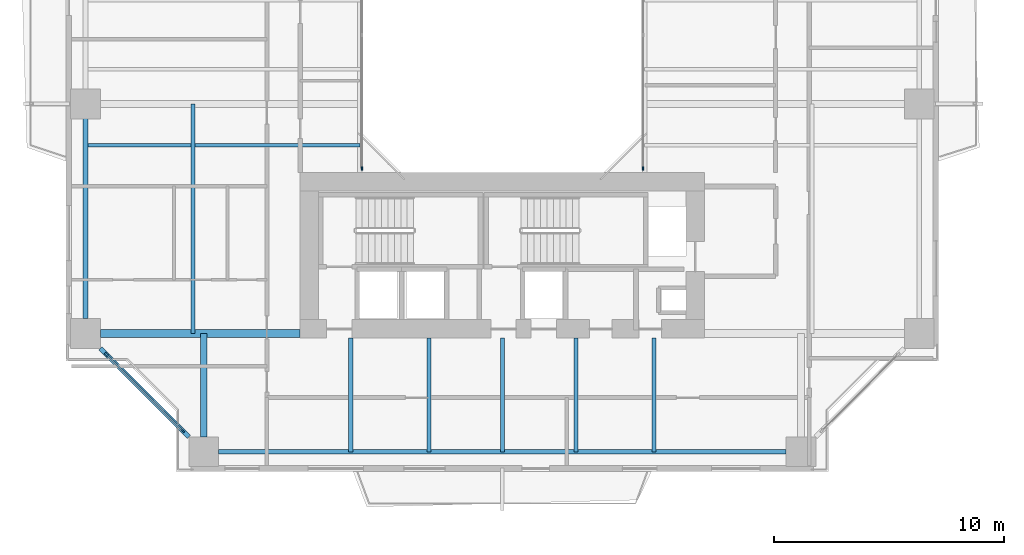
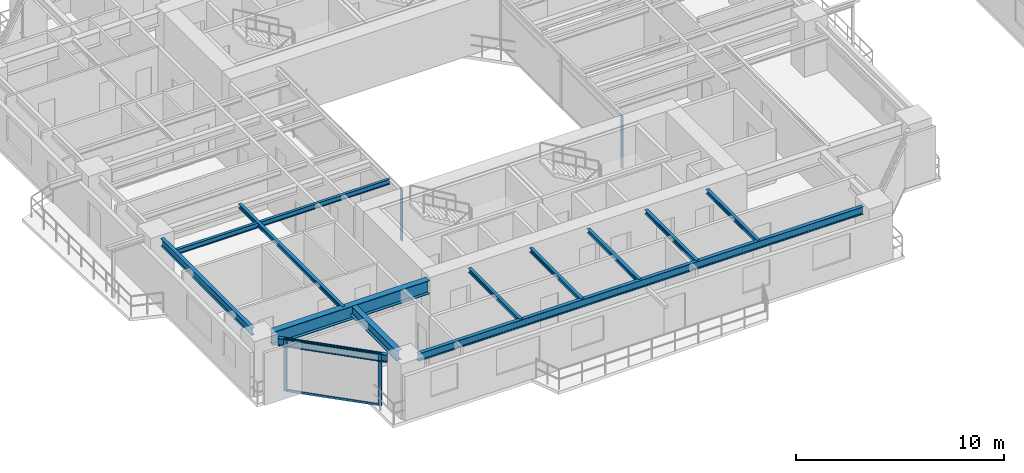
# One storey, part 2 of 23: 12 beams, 6 members, 3 elements without a shape of their own.
"""IFC4 building model written with IfcOpenShell, lengths in metres."""

from ifc_helpers import new_model, si_unit, direction, frame, origin, origin_2d, place, context, subcontext, project, spatial, rectangle, i_section, extrude, source, transform, mapped, material, layer, layer_set, material_profile, profile_set, type_object, element, aggregate, save


model = new_model("IFC4")

# Units and contexts
model_context = context("Model", 3, precision=1e-05, world=origin(), true_north=direction((0.0, 1.0)))
body_context = subcontext(model_context, "Body", "Model", "MODEL_VIEW")
ifc_project = project(units=[si_unit("LENGTHUNIT", "METRE"), si_unit("AREAUNIT", "SQUARE_METRE"), si_unit("VOLUMEUNIT", "CUBIC_METRE"), si_unit("PLANEANGLEUNIT", "RADIAN"), si_unit("MASSUNIT", "GRAM", prefix="KILO"), si_unit("THERMODYNAMICTEMPERATUREUNIT", "KELVIN"), si_unit("POWERUNIT", "WATT")], contexts=[model_context])

# Site, building, storey
site_placement = place(None, origin())
site = spatial("IfcSite", under=ifc_project, at=site_placement, CompositionType="ELEMENT")
building_placement = place(site_placement, origin())
building = spatial("IfcBuilding", under=site, at=building_placement, Name="Qiaomeng Ring Towers", CompositionType="ELEMENT")
storey_placement = place(building_placement, frame((0.0, 0.0, 60.0)))
storey = spatial("IfcBuildingStorey", under=building, at=storey_placement, Name="L16", CompositionType="ELEMENT", Elevation=60.0)

# Beams
ifc_material_1 = material(Name="Steel Q355B", Category="steel")
ifc_material_profile_1 = material_profile(ifc_material_1, i_section(OverallWidth=0.199951171875, OverallDepth=0.449951171875, WebThickness=0.009033203125, FlangeThickness=0.013916015625, FilletRadius=0.01806640625, at=origin_2d()), Name="HN 450x200x9x14")
ifc_profile_set_1 = profile_set([ifc_material_profile_1], Name="Steel Q355B")
beam_type_1 = type_object("IfcBeamType", Name="STR-BM-HN450", PredefinedType="SPANDREL", material=ifc_profile_set_1)
shared_shape_1 = source(origin(), body_context, "Body", "SweptSolid", [
    extrude(i_section(OverallWidth=0.199951171875, OverallDepth=0.449951171875, WebThickness=0.009033203125, FlangeThickness=0.013916015625, FilletRadius=0.01806640625, at=origin_2d()), origin(), (0.0, 0.0, 1.0), 24.7021484375),
])
beam_1_placement = place(storey_placement, frame((6.64892578125, 4.85009765625, 2.844970703125), z_axis=(1.0, 0.0, 0.0), x_axis=(0.0, 1.0, 0.0)))
element("IfcBeam", 1, at=beam_1_placement, inside=storey, type_object=beam_type_1, Name="L16 beam STR-SP-L16-T1-S1-S2", PredefinedType="SPANDREL", context=body_context, shape_type="MappedRepresentation", body=[
    mapped(shared_shape_1, transform((0.0, 0.0, 0.0), x_axis=(1.0, 0.0, 0.0), y_axis=(0.0, 1.0, 0.0), z_axis=(0.0, 0.0, 1.0), scale=1.0)),
])
shared_shape_2 = source(origin(), body_context, "Body", "SweptSolid", [
    extrude(i_section(OverallWidth=0.199951171875, OverallDepth=0.449951171875, WebThickness=0.009033203125, FlangeThickness=0.013916015625, FilletRadius=0.01806640625, at=origin_2d()), origin(), (0.0, 0.0, 1.0), 5.446533203125),
])
beam_2_placement = place(storey_placement, frame((1.499267578125, 9.3505859375, 2.844970703125), z_axis=(0.707106781187, -0.707106781187, 0.0), x_axis=(0.707106781187, 0.707106781187, 0.0)))
element("IfcBeam", 2, at=beam_2_placement, inside=storey, type_object=beam_type_1, Name="L16 beam STR-SP-L16-T1-W1-S1", PredefinedType="SPANDREL", context=body_context, shape_type="MappedRepresentation", body=[
    mapped(shared_shape_2, transform((0.0, 0.0, 0.0), x_axis=(1.0, 0.0, 0.0), y_axis=(0.0, 1.0, 0.0), z_axis=(0.0, 0.0, 1.0), scale=1.0)),
])
shared_shape_3 = source(origin(), body_context, "Body", "SweptSolid", [
    extrude(i_section(OverallWidth=0.199951171875, OverallDepth=0.449951171875, WebThickness=0.009033203125, FlangeThickness=0.013916015625, FilletRadius=0.01806640625, at=origin_2d()), origin(), (0.0, 0.0, 1.0), 8.7021484375),
])
beam_3_placement = place(storey_placement, frame((0.85009765625, 19.35107421875, 2.844970703125), z_axis=(0.0, -1.0, 0.0), x_axis=(1.0, 0.0, 0.0)))
element("IfcBeam", 3, at=beam_3_placement, inside=storey, type_object=beam_type_1, Name="L16 beam STR-SP-L16-T1-W2-W1", PredefinedType="SPANDREL", context=body_context, shape_type="MappedRepresentation", body=[
    mapped(shared_shape_3, transform((0.0, 0.0, 0.0), x_axis=(1.0, 0.0, 0.0), y_axis=(0.0, 1.0, 0.0), z_axis=(0.0, 0.0, 1.0), scale=1.0)),
])
ifc_material_2 = material(Name="Steel Q390GJC", Category="steel")
ifc_material_profile_2 = material_profile(ifc_material_2, i_section(OverallWidth=0.35009765625, OverallDepth=0.800048828125, WebThickness=0.01611328125, FlangeThickness=0.028076171875, at=origin_2d()), Name="WH 800x350x16x28")
ifc_profile_set_2 = profile_set([ifc_material_profile_2], Name="Steel Q390GJC")
beam_type_2 = type_object("IfcBeamType", Name="STR-BM-WH800", PredefinedType="BEAM", material=ifc_profile_set_2)
shared_shape_4 = source(origin(), body_context, "Body", "SweptSolid", [
    extrude(i_section(OverallWidth=0.35009765625, OverallDepth=0.800048828125, WebThickness=0.01611328125, FlangeThickness=0.028076171875, at=origin_2d()), origin(), (0.0, 0.0, 1.0), 8.700927734375),
])
beam_4_placement = place(storey_placement, frame((1.4990234375, 10.0, 2.669921875), z_axis=(1.0, 0.0, 0.0), x_axis=(0.0, 1.0, 0.0)))
element("IfcBeam", 4, at=beam_4_placement, inside=storey, type_object=beam_type_2, Name="L16 beam STR-BM-L16-T1-RAD-W1", PredefinedType="BEAM", context=body_context, shape_type="MappedRepresentation", body=[
    mapped(shared_shape_4, transform((0.0, 0.0, 0.0), x_axis=(1.0, 0.0, 0.0), y_axis=(0.0, 1.0, 0.0), z_axis=(0.0, 0.0, 1.0), scale=1.0)),
])
ifc_material_profile_3 = material_profile(ifc_material_1, i_section(OverallWidth=0.300048828125, OverallDepth=0.587890625, WebThickness=0.011962890625, FlangeThickness=0.02001953125, FilletRadius=0.028076171875, at=origin_2d()), Name="HM 588x300x12x20")
ifc_profile_set_3 = profile_set([ifc_material_profile_3], Name="Steel Q355B")
beam_type_3 = type_object("IfcBeamType", Name="STR-BM-HM588", PredefinedType="BEAM", material=ifc_profile_set_3)
shared_shape_5 = source(origin(), body_context, "Body", "SweptSolid", [
    extrude(i_section(OverallWidth=0.300048828125, OverallDepth=0.587890625, WebThickness=0.011962890625, FlangeThickness=0.02001953125, FilletRadius=0.028076171875, at=origin_2d()), origin(), (0.0, 0.0, 1.0), 4.5009765625),
])
beam_5_placement = place(storey_placement, frame((6.0, 5.4990234375, 2.77587890625), z_axis=(0.0, 1.0, 0.0), x_axis=(-1.0, 0.0, 0.0)))
element("IfcBeam", 5, at=beam_5_placement, inside=storey, type_object=beam_type_3, Name="L16 beam STR-BM-L16-T1-RAD-S1", PredefinedType="BEAM", context=body_context, shape_type="MappedRepresentation", body=[
    mapped(shared_shape_5, transform((0.0, 0.0, 0.0), x_axis=(1.0, 0.0, 0.0), y_axis=(0.0, 1.0, 0.0), z_axis=(0.0, 0.0, 1.0), scale=1.0)),
])
ifc_material_profile_4 = material_profile(ifc_material_1, i_section(OverallWidth=0.175048828125, OverallDepth=0.243896484375, WebThickness=0.007080078125, FlangeThickness=0.010986328125, FilletRadius=0.01611328125, at=origin_2d()), Name="HM 244x175x7x11")
ifc_profile_set_4 = profile_set([ifc_material_profile_4], Name="Steel Q355B")
beam_type_4 = type_object("IfcBeamType", Name="STR-BM-HM244", PredefinedType="JOIST", material=ifc_profile_set_4)
shared_shape_6 = source(origin(), body_context, "Body", "SweptSolid", [
    extrude(i_section(OverallWidth=0.175048828125, OverallDepth=0.243896484375, WebThickness=0.007080078125, FlangeThickness=0.010986328125, FilletRadius=0.01611328125, at=origin_2d()), origin(), (0.0, 0.0, 1.0), 4.949951171875),
])
for number, where, z_axis, x_axis, name in (
    (6, (12.39990234375, 4.85009765625, 2.947998046875), (0.0, 1.0, 0.0), (-1.0, 0.0, 0.0), "L16 beam STR-JST-L16-T1S-1"),
    (7, (15.800048828125, 4.85009765625, 2.947998046875), (0.0, 1.0, 0.0), (-1.0, 0.0, 0.0), "L16 beam STR-JST-L16-T1S-2"),
    (8, (19.0, 4.85009765625, 2.947998046875), (0.0, 1.0, 0.0), (-1.0, 0.0, 0.0), "L16 beam STR-JST-L16-T1S-3"),
    (9, (22.199951171875, 4.85009765625, 2.947998046875), (0.0, 1.0, 0.0), (-1.0, 0.0, 0.0), "L16 beam STR-JST-L16-T1S-4"),
    (10, (25.60009765625, 4.85009765625, 2.947998046875), (0.0, 1.0, 0.0), (-1.0, 0.0, 0.0), "L16 beam STR-JST-L16-T1S-5"),
):
    element("IfcBeam", number, at=place(storey_placement, frame(where, z_axis=z_axis, x_axis=x_axis)), inside=storey, type_object=beam_type_4, Name=name, PredefinedType="JOIST", context=body_context, shape_type="MappedRepresentation", body=[
        mapped(shared_shape_6, transform((0.0, 0.0, 0.0), x_axis=(1.0, 0.0, 0.0), y_axis=(0.0, 1.0, 0.0), z_axis=(0.0, 0.0, 1.0), scale=1.0)),
    ])
ifc_material_profile_5 = material_profile(ifc_material_1, i_section(OverallWidth=0.14990234375, OverallDepth=0.300048828125, WebThickness=0.006591796875, FlangeThickness=0.009033203125, FilletRadius=0.012939453125, at=origin_2d()), Name="HN 300x150x6.5x9")
ifc_profile_set_5 = profile_set([ifc_material_profile_5], Name="Steel Q355B")
beam_type_5 = type_object("IfcBeamType", Name="STR-BM-HN300", PredefinedType="JOIST", material=ifc_profile_set_5)
shared_shape_7 = source(origin(), body_context, "Body", "SweptSolid", [
    extrude(i_section(OverallWidth=0.14990234375, OverallDepth=0.300048828125, WebThickness=0.006591796875, FlangeThickness=0.009033203125, FilletRadius=0.012939453125, at=origin_2d()), origin(), (0.0, 0.0, 1.0), 11.949951171875),
])
beam_6_placement = place(storey_placement, frame((0.85009765625, 18.199951171875, 2.919921875), z_axis=(1.0, 0.0, 0.0), x_axis=(0.0, 1.0, 0.0)))
element("IfcBeam", 11, at=beam_6_placement, inside=storey, type_object=beam_type_5, Name="L16 beam STR-JST-L16-T1W-1", PredefinedType="JOIST", context=body_context, shape_type="MappedRepresentation", body=[
    mapped(shared_shape_7, transform((0.0, 0.0, 0.0), x_axis=(1.0, 0.0, 0.0), y_axis=(0.0, 1.0, 0.0), z_axis=(0.0, 0.0, 1.0), scale=1.0)),
])
shared_shape_8 = source(origin(), body_context, "Body", "SweptSolid", [
    extrude(i_section(OverallWidth=0.175048828125, OverallDepth=0.243896484375, WebThickness=0.007080078125, FlangeThickness=0.010986328125, FilletRadius=0.01611328125, at=origin_2d()), origin(), (0.0, 0.0, 1.0), 10.0),
])
beam_7_placement = place(storey_placement, frame((5.52490234375, 10.0, 2.947998046875), z_axis=(0.0, 1.0, 0.0), x_axis=(-1.0, 0.0, 0.0)))
element("IfcBeam", 12, at=beam_7_placement, inside=storey, type_object=beam_type_4, Name="L16 beam STR-JST-L16-T1C-WS", PredefinedType="JOIST", context=body_context, shape_type="MappedRepresentation", body=[
    mapped(shared_shape_8, transform((0.0, 0.0, 0.0), x_axis=(1.0, 0.0, 0.0), y_axis=(0.0, 1.0, 0.0), z_axis=(0.0, 0.0, 1.0), scale=1.0)),
])

# Curtain wall, member
ifc_material_3 = material(Name="Fluorocarbon dark-grey aluminium", Category="aluminium")
ifc_layer_1 = layer(ifc_material_3, 0.139892578125, Name="Fluorocarbon dark-grey aluminium")
ifc_layer_set_1 = layer_set([ifc_layer_1], Name="Fluorocarbon dark-grey aluminium")
curtain_wall_type_1 = type_object("IfcCurtainWallType", Name="ARC-CW-4", PredefinedType="NOTDEFINED", material=ifc_layer_set_1)
curtain_wall_1_placement = place(storey_placement, origin())
curtain_wall_1 = element("IfcCurtainWall", 13, at=curtain_wall_1_placement, inside=storey, type_object=curtain_wall_type_1, Name="L16 Curtain Wall CW4", PredefinedType="NOTDEFINED")
ifc_material_profile_6 = material_profile(ifc_material_3, rectangle(XDim=0.06494140625, YDim=0.159912109375, at=origin_2d()), Name="ALU MULL 65x160")
ifc_profile_set_6 = profile_set([ifc_material_profile_6], Name="Fluorocarbon dark-grey aluminium")
member_type_1 = type_object("IfcMemberType", Name="ARC-CWM-140", PredefinedType="MULLION", material=ifc_profile_set_6)
shared_shape_9 = source(origin(), body_context, "Body", "SweptSolid", [
    extrude(rectangle(XDim=0.06494140625, YDim=0.159912109375, at=origin_2d()), origin(), (0.0, 0.0, 1.0), 3.070068359375),
])
member_1_placement = place(storey_placement, frame((12.8798828125, 17.1826171875, 0.0), z_axis=(0.0, 0.0, 1.0), x_axis=(-1.0, 0.0, 0.0)))
member_1 = element("IfcMember", 14, at=member_1_placement, type_object=member_type_1, Name="CW4 mullion 1", PredefinedType="MULLION", context=body_context, shape_type="MappedRepresentation", body=[
    mapped(shared_shape_9, transform((0.0, 0.0, 0.0), x_axis=(1.0, 0.0, 0.0), y_axis=(0.0, 1.0, 0.0), z_axis=(0.0, 0.0, 1.0), scale=1.0)),
])
aggregate(curtain_wall_1, [member_1])

curtain_wall_2_placement = place(storey_placement, origin())
curtain_wall_2 = element("IfcCurtainWall", 15, at=curtain_wall_2_placement, inside=storey, type_object=curtain_wall_type_1, Name="L16 Curtain Wall CW4", PredefinedType="NOTDEFINED")
member_2_placement = place(storey_placement, frame((25.1201171875, 17.1826171875, 0.0), z_axis=(0.0, 0.0, 1.0), x_axis=(-1.0, 0.0, 0.0)))
member_2 = element("IfcMember", 16, at=member_2_placement, type_object=member_type_1, Name="CW4 mullion 1", PredefinedType="MULLION", context=body_context, shape_type="MappedRepresentation", body=[
    mapped(shared_shape_9, transform((0.0, 0.0, 0.0), x_axis=(1.0, 0.0, 0.0), y_axis=(0.0, 1.0, 0.0), z_axis=(0.0, 0.0, 1.0), scale=1.0)),
])
aggregate(curtain_wall_2, [member_2])

# Curtain wall, members
ifc_layer_2 = layer(ifc_material_3, 0.159912109375, Name="Fluorocarbon dark-grey aluminium")
ifc_layer_set_2 = layer_set([ifc_layer_2], Name="Fluorocarbon dark-grey aluminium")
curtain_wall_type_2 = type_object("IfcCurtainWallType", Name="ARC-CW-2", PredefinedType="NOTDEFINED", material=ifc_layer_set_2)
curtain_wall_3_placement = place(storey_placement, origin())
curtain_wall_3 = element("IfcCurtainWall", 17, at=curtain_wall_3_placement, inside=storey, type_object=curtain_wall_type_2, Name="L16 Curtain Wall CW2", PredefinedType="NOTDEFINED")
ifc_material_profile_7 = material_profile(ifc_material_3, rectangle(XDim=0.070068359375, YDim=0.179931640625, at=origin_2d()), Name="ALU MULL 70x180")
ifc_profile_set_7 = profile_set([ifc_material_profile_7], Name="Fluorocarbon dark-grey aluminium")
member_type_2 = type_object("IfcMemberType", Name="ARC-CWM-160", PredefinedType="MULLION", material=ifc_profile_set_7)
shared_shape_10 = source(origin(), body_context, "Body", "SweptSolid", [
    extrude(rectangle(XDim=0.070068359375, YDim=0.179931640625, at=origin_2d()), origin(), (0.0, 0.0, 1.0), 3.070068359375),
])
member_3_placement = place(storey_placement, frame((1.7646484375, 9.085205078125, 0.0), z_axis=(0.0, 0.0, 1.0), x_axis=(0.707106781187, 0.707106781187, 0.0)))
member_3 = element("IfcMember", 18, at=member_3_placement, type_object=member_type_2, Name="CW2 mullion 1", PredefinedType="MULLION", context=body_context, shape_type="MappedRepresentation", body=[
    mapped(shared_shape_10, transform((0.0, 0.0, 0.0), x_axis=(1.0, 0.0, 0.0), y_axis=(0.0, 1.0, 0.0), z_axis=(0.0, 0.0, 1.0), scale=1.0)),
])
member_4_placement = place(storey_placement, frame((5.085205078125, 5.7646484375, 0.0), z_axis=(0.0, 0.0, 1.0), x_axis=(0.707106781187, 0.707106781187, 0.0)))
member_4 = element("IfcMember", 19, at=member_4_placement, type_object=member_type_2, Name="CW2 mullion 2", PredefinedType="MULLION", context=body_context, shape_type="MappedRepresentation", body=[
    mapped(shared_shape_10, transform((0.0, 0.0, 0.0), x_axis=(1.0, 0.0, 0.0), y_axis=(0.0, 1.0, 0.0), z_axis=(0.0, 0.0, 1.0), scale=1.0)),
])
ifc_material_profile_8 = material_profile(ifc_material_3, rectangle(XDim=0.06494140625, YDim=0.1298828125, at=origin_2d()), Name="ALU TRAN 65x130")
ifc_profile_set_8 = profile_set([ifc_material_profile_8], Name="Fluorocarbon dark-grey aluminium")
member_type_3 = type_object("IfcMemberType", Name="ARC-CWT-120", PredefinedType="USERDEFINED", material=ifc_profile_set_8)
shared_shape_11 = source(origin(), body_context, "Body", "SweptSolid", [
    extrude(rectangle(XDim=0.06494140625, YDim=0.1298828125, at=origin_2d()), origin(), (0.0, 0.0, 1.0), 4.6259765625),
])
member_5_placement = place(storey_placement, frame((1.78955078125, 9.060546875, 0.032470703125), z_axis=(0.707106781187, -0.707106781187, 0.0), x_axis=(0.707106781187, 0.707106781187, 0.0)))
member_5 = element("IfcMember", 20, at=member_5_placement, type_object=member_type_3, Name="CW2 transom 1.1", ObjectType="TRANSOM", PredefinedType="USERDEFINED", context=body_context, shape_type="MappedRepresentation", body=[
    mapped(shared_shape_11, transform((0.0, 0.0, 0.0), x_axis=(1.0, 0.0, 0.0), y_axis=(0.0, 1.0, 0.0), z_axis=(0.0, 0.0, 1.0), scale=1.0)),
])
member_6_placement = place(storey_placement, frame((1.78955078125, 9.060546875, 3.03759765625), z_axis=(0.707106781187, -0.707106781187, 0.0), x_axis=(0.707106781187, 0.707106781187, 0.0)))
member_6 = element("IfcMember", 21, at=member_6_placement, type_object=member_type_3, Name="CW2 transom 1.2", ObjectType="TRANSOM", PredefinedType="USERDEFINED", context=body_context, shape_type="MappedRepresentation", body=[
    mapped(shared_shape_11, transform((0.0, 0.0, 0.0), x_axis=(1.0, 0.0, 0.0), y_axis=(0.0, 1.0, 0.0), z_axis=(0.0, 0.0, 1.0), scale=1.0)),
])
aggregate(curtain_wall_3, [member_3, member_4, member_5, member_6])

save(model, "model.ifc")
